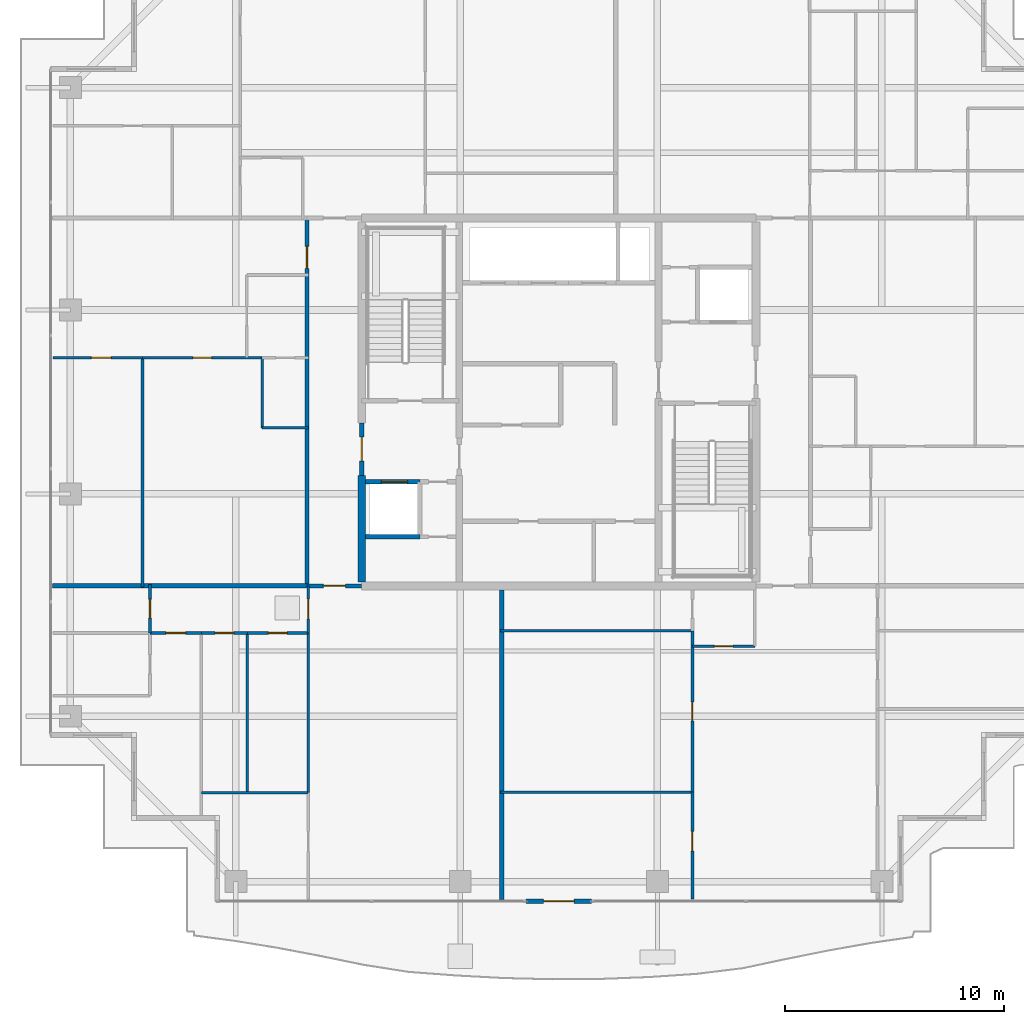
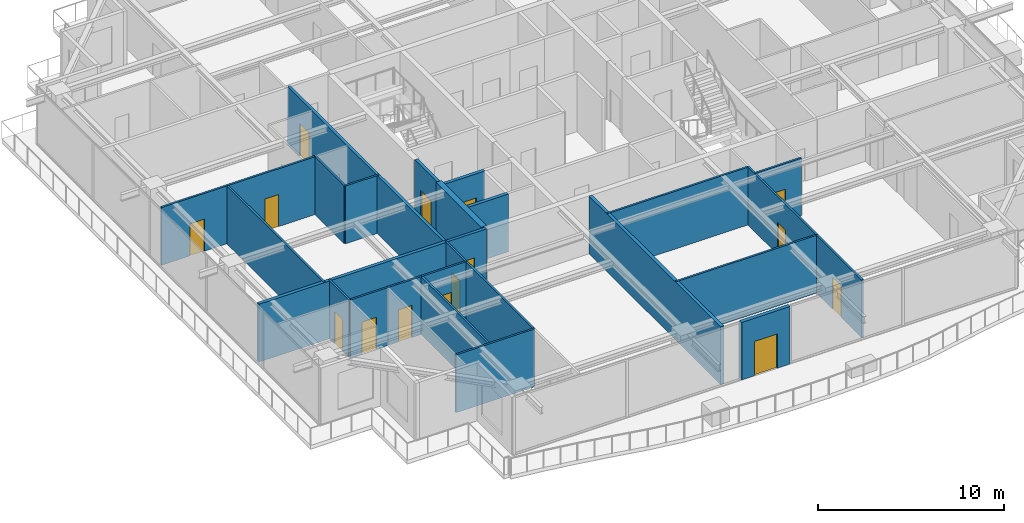
# One storey, part 31 of 42: 27 walls, 15 doors, 15 openings.
"""IFC4 building model written with IfcOpenShell, lengths in metres."""

import ifcopenshell
import ifcopenshell.guid

model = None  # the IFC model being written
_history = None  # IfcOwnerHistory: only IFC2X3 demands one
_inside = {}  # id of a spatial element -> (the spatial element, [elements in it])
_under = {}  # id of a project, library or spatial element -> (it, [spatial elements below it])
_declared = {}  # id of a project -> (the project, [libraries it declares])
_typed = {}  # id of a type object -> (the type object, [elements of that type])
_made_of = {}  # id of a material, layer set ... -> (it, [elements and type objects made of it])


def new_model(schema):
    """Start an empty IFC model of exactly this schema.

    Asked for "IFC4X3", IfcOpenShell would pick the latest addendum, in which some entities
    have other attributes; the version numbers below select the first issue.
    IFC2X3 requires an IfcOwnerHistory on every rooted entity: one is made here for all.
    """
    global model, _history
    if schema == "IFC4X3":
        model = ifcopenshell.file(schema_version=(4, 3, 0, 0))
    else:
        model = ifcopenshell.file(schema=schema)
    _inside.clear()
    _under.clear()
    _declared.clear()
    _typed.clear()
    _made_of.clear()
    _history = None
    if model.schema == "IFC2X3":
        org = make("IfcOrganization", Name="unknown")
        user = make(
            "IfcPersonAndOrganization",
            ThePerson=make("IfcPerson", FamilyName="unknown"),
            TheOrganization=org,
        )
        app = make(
            "IfcApplication",
            ApplicationDeveloper=org,
            Version="unknown",
            ApplicationFullName="unknown",
            ApplicationIdentifier="unknown",
        )
        _history = make(
            "IfcOwnerHistory",
            OwningUser=user,
            OwningApplication=app,
            ChangeAction="ADDED",
            CreationDate=0,
        )
    return model


def make(cls, **values):
    """One entity of the class cls with the attributes given. An attribute that is None is left unset."""
    return model.create_entity(
        cls, **{name: value for name, value in values.items() if value is not None}
    )


def rooted(cls, **values):
    """An entity with a GlobalId (a new one), such as an element, a storey or a relation."""
    return make(cls, GlobalId=ifcopenshell.guid.new(), OwnerHistory=_history, **values)


def si_unit(unit_type, name, prefix=None):
    """IfcSIUnit, for example si_unit("LENGTHUNIT", "METRE", prefix="MILLI")."""
    return make("IfcSIUnit", UnitType=unit_type, Prefix=prefix, Name=name)


def assignment(units):
    """IfcUnitAssignment: the units of a project."""
    return None if units is None else make("IfcUnitAssignment", Units=units)


def point(xyz):
    """IfcCartesianPoint."""
    return None if xyz is None else make("IfcCartesianPoint", Coordinates=xyz)


def direction(xyz):
    """IfcDirection."""
    return None if xyz is None else make("IfcDirection", DirectionRatios=xyz)


def frame(location, z_axis=None, x_axis=None):
    """IfcAxis2Placement3D, a coordinate frame: its origin and axes. An axis left out is left unset."""
    return make(
        "IfcAxis2Placement3D",
        Location=point(location),
        Axis=direction(z_axis),
        RefDirection=direction(x_axis),
    )


def frame_2d(location, x_axis=None):
    """IfcAxis2Placement2D, a coordinate frame in the plane: its origin and x axis."""
    return make(
        "IfcAxis2Placement2D", Location=point(location), RefDirection=direction(x_axis)
    )


def origin():
    """The frame at (0, 0, 0) with its axes left unset."""
    return frame((0.0, 0.0, 0.0))


def place(relative_to, where):
    """IfcLocalPlacement: puts the frame where relative to a parent placement (None: the world)."""
    return make(
        "IfcLocalPlacement", PlacementRelTo=relative_to, RelativePlacement=where
    )


def context(
    kind, dimensions, precision=None, world=None, true_north=None, identifier=None
):
    """IfcGeometricRepresentationContext, for example the 3D "Model" context."""
    return make(
        "IfcGeometricRepresentationContext",
        ContextIdentifier=identifier,
        ContextType=kind,
        CoordinateSpaceDimension=dimensions,
        Precision=precision,
        WorldCoordinateSystem=world,
        TrueNorth=true_north,
    )


def subcontext(parent, identifier, kind, view, scale=None):
    """IfcGeometricRepresentationSubContext, for example "Body" below "Model"."""
    return make(
        "IfcGeometricRepresentationSubContext",
        ContextIdentifier=identifier,
        ContextType=kind,
        ParentContext=parent,
        TargetScale=scale,
        TargetView=view,
    )


def project(units=None, contexts=None):
    """IfcProject with its units and contexts."""
    return rooted(
        "IfcProject",
        Name="project",
        RepresentationContexts=contexts,
        UnitsInContext=assignment(units),
    )


def spatial(cls, under=None, at=None, **own):
    """A site, building, storey or space (cls), placed at a placement, below another one or the project."""
    s = rooted(cls, ObjectPlacement=at, **own)
    if under is not None:
        _under.setdefault(under.id(), (under, []))[1].append(s)
    return s


def profile(cls, at=None, kind="AREA", **sizes):
    """A parametric profile (cls). Its sizes go by their IFC names, for example OverallWidth=200.0."""
    return make(cls, ProfileType=kind, Position=at, **sizes)


def rectangle(**sizes):
    """IfcRectangleProfileDef."""
    return profile("IfcRectangleProfileDef", **sizes)


def extrude(swept, where, along, depth):
    """IfcExtrudedAreaSolid: the profile swept, set in the frame where, extruded along a direction by depth."""
    return make(
        "IfcExtrudedAreaSolid",
        SweptArea=swept,
        Position=where,
        ExtrudedDirection=direction(along),
        Depth=depth,
    )


def shape(context_of_items, identifier, shape_type, items):
    """IfcShapeRepresentation: the items that make up one representation, for example the "Body"."""
    return make(
        "IfcShapeRepresentation",
        ContextOfItems=context_of_items,
        RepresentationIdentifier=identifier,
        RepresentationType=shape_type,
        Items=items,
    )


def source(mapping_origin, context_of_items, identifier, shape_type, items):
    """IfcRepresentationMap: a shape defined once, which mapped items show again and again."""
    return make(
        "IfcRepresentationMap",
        MappingOrigin=mapping_origin,
        MappedRepresentation=shape(context_of_items, identifier, shape_type, items),
    )


def transform(
    local_origin,
    x_axis=None,
    y_axis=None,
    z_axis=None,
    scale=None,
    scale2=None,
    scale3=None,
    uniform=True,
):
    """IfcCartesianTransformationOperator3D, or its non-uniform kind. x_axis, y_axis, z_axis: its Axis1, 2, 3."""
    if uniform:
        return make(
            "IfcCartesianTransformationOperator3D",
            Axis1=direction(x_axis),
            Axis2=direction(y_axis),
            LocalOrigin=point(local_origin),
            Scale=scale,
            Axis3=direction(z_axis),
        )
    return make(
        "IfcCartesianTransformationOperator3DnonUniform",
        Axis1=direction(x_axis),
        Axis2=direction(y_axis),
        LocalOrigin=point(local_origin),
        Scale=scale,
        Axis3=direction(z_axis),
        Scale2=scale2,
        Scale3=scale3,
    )


def mapped(mapping_source, mapping_target):
    """IfcMappedItem: shows the shape of a source again, moved by a transform."""
    return make(
        "IfcMappedItem", MappingSource=mapping_source, MappingTarget=mapping_target
    )


def material(Name=None, Category=None):
    """IfcMaterial."""
    return make("IfcMaterial", Name=Name, Category=Category)


def layer(
    of_material, thickness, ventilated=None, Name=None, Category=None, Priority=None
):
    """IfcMaterialLayer: one layer of a wall or slab, of a material (None: an air gap)."""
    return make(
        "IfcMaterialLayer",
        Material=of_material,
        LayerThickness=thickness,
        IsVentilated=ventilated,
        Name=Name,
        Category=Category,
        Priority=Priority,
    )


def layer_set(layers, Name=None):
    """IfcMaterialLayerSet."""
    return make("IfcMaterialLayerSet", MaterialLayers=layers, LayerSetName=Name)


def made_of(thing, what):
    """Note that an element or type object is made of a material, layer set ...; save() writes the relation."""
    if what is not None:
        _made_of.setdefault(what.id(), (what, []))[1].append(thing)
    return thing


def type_object(cls, material=None, **own):
    """A type object (cls), such as IfcWallType, which elements share."""
    return made_of(rooted(cls, **own), material)


def element(
    cls,
    number,
    at=None,
    inside=None,
    cuts=None,
    type_object=None,
    material=None,
    context=None,
    identifier="Body",
    shape_type=None,
    held_by="IfcProductDefinitionShape",
    body=None,
    shapes=None,
    **own,
):
    """One element of the class cls, such as IfcWall. Its Tag is "e" and its number.

    at: its placement. inside: the storey or other place that contains it. cuts: it is an
    opening in that element (IfcRelVoidsElement). A single representation is given by context,
    identifier, shape_type and body (its items); several are given by shapes. held_by: the class
    of the entity that holds the representations. save() writes the other relations.
    """
    e = rooted(cls, Tag="e%d" % number, ObjectPlacement=at, **own)
    if body is not None:
        shapes = [shape(context, identifier, shape_type, body)]
    if shapes is not None:
        e.Representation = make(held_by, Representations=shapes)
    if inside is not None:
        _inside.setdefault(inside.id(), (inside, []))[1].append(e)
    if cuts is not None:
        rooted(
            "IfcRelVoidsElement", RelatingBuildingElement=cuts, RelatedOpeningElement=e
        )
    if type_object is not None:
        _typed.setdefault(type_object.id(), (type_object, []))[1].append(e)
    return made_of(e, material)


def fill(opening, filler):
    """IfcRelFillsElement: the door or window that sits in an opening."""
    return rooted(
        "IfcRelFillsElement",
        RelatingOpeningElement=opening,
        RelatedBuildingElement=filler,
    )


def aggregate(whole, parts):
    """IfcRelAggregates: a whole, such as a stair, and the parts it consists of."""
    return rooted("IfcRelAggregates", RelatingObject=whole, RelatedObjects=parts)


def save(model, path):
    """Write the relations noted so far, then the file.

    IfcRelAggregates (storeys below a building ...), IfcRelContainedInSpatialStructure (elements
    in a storey), IfcRelDefinesByType, IfcRelAssociatesMaterial and IfcRelDeclares: one each for
    every whole, place, type object, material and project.
    """
    for whole, parts in _under.values():
        aggregate(whole, parts)
    for where, things in _inside.values():
        rooted(
            "IfcRelContainedInSpatialStructure",
            RelatedElements=things,
            RelatingStructure=where,
        )
    for kind, things in _typed.values():
        rooted("IfcRelDefinesByType", RelatedObjects=things, RelatingType=kind)
    for what, things in _made_of.values():
        rooted("IfcRelAssociatesMaterial", RelatedObjects=things, RelatingMaterial=what)
    for by, libraries in _declared.values():
        rooted("IfcRelDeclares", RelatingContext=by, RelatedDefinitions=libraries)
    model.write(path)


model = new_model("IFC4")

# Units and contexts
model_context = context("Model", 3, precision=1e-05, world=origin(), true_north=direction((0.0, 1.0)))
body_context = subcontext(model_context, "Body", "Model", "MODEL_VIEW")
ifc_project = project(units=[si_unit("LENGTHUNIT", "METRE"), si_unit("AREAUNIT", "SQUARE_METRE"), si_unit("VOLUMEUNIT", "CUBIC_METRE"), si_unit("PLANEANGLEUNIT", "RADIAN"), si_unit("MASSUNIT", "GRAM", prefix="KILO")], contexts=[model_context])

# Site, building, storey
site_placement = place(None, origin())
site = spatial("IfcSite", under=ifc_project, at=site_placement, CompositionType="ELEMENT")
building_placement = place(site_placement, origin())
building = spatial("IfcBuilding", under=site, at=building_placement, Name="Serunith Strait Residences", CompositionType="ELEMENT")
storey_placement = place(building_placement, frame((0.0, 0.0, 293.449951171875)))
storey = spatial("IfcBuildingStorey", under=building, at=storey_placement, Name="L73", CompositionType="ELEMENT", Elevation=293.449951171875)

# Wall, opening, door
ifc_material_1 = material(Name="Pale-Champagne Aluminium Insulated Panel", Category="aluminium")
ifc_layer_1 = layer(ifc_material_1, 0.219970703125, Name="Pale-Champagne Aluminium Insulated Panel")
ifc_layer_set_1 = layer_set([ifc_layer_1], Name="Pale-Champagne Aluminium Insulated Panel")
wall_type_1 = type_object("IfcWallType", Name="EW-ALUM-220", PredefinedType="ELEMENTEDWALL", material=ifc_layer_set_1)
wall_1_placement = place(storey_placement, frame((30.89990234375, 2.39990234375, 0.0), z_axis=(0.0, 0.0, 1.0), x_axis=(1.0, 0.0, 0.0)))
wall_1 = element("IfcWall", 1, at=wall_1_placement, inside=storey, type_object=wall_type_1, Name="L73 S Facade Pier Wall", PredefinedType="ELEMENTEDWALL", context=body_context, shape_type="SweptSolid", body=[
    extrude(rectangle(XDim=3.0, YDim=0.219970703125, at=frame_2d((1.5, 0.0))), origin(), (0.0, 0.0, 1.0), 3.775146484375),
])
opening_1_placement = place(wall_1_placement, frame((0.800048828125, 0.0, 0.0)))
opening_1 = element("IfcOpeningElement", 2, at=opening_1_placement, cuts=wall_1, Name="Opening ED-04", PredefinedType="OPENING", context=body_context, shape_type="SweptSolid", body=[
    extrude(rectangle(XDim=1.39990234375, YDim=2.25, at=frame_2d((0.699951171875, 1.125))), frame((0.0, 0.1201171875, 0.0), z_axis=(0.0, -1.0, 0.0), x_axis=(1.0, 0.0, 0.0)), (0.0, 0.0, 1.0), 0.239990234375),
])
ifc_material_2 = material(Name="Thermally-Broken Aluminium Sliding Balcony Door", Category="aluminium")
door_type_1 = type_object("IfcDoorType", Name="ED-BALC-1400", OperationType="NOTDEFINED", PredefinedType="DOOR", material=ifc_material_2)
shared_shape_1 = source(origin(), body_context, "Body", "SweptSolid", [
    extrude(rectangle(XDim=1.39990234375, YDim=2.25, at=frame_2d((0.699951171875, 1.125))), frame((0.0, 0.02490234375, 0.0), z_axis=(0.0, -1.0, 0.0), x_axis=(1.0, 0.0, 0.0)), (0.0, 0.0, 1.0), 0.050048828125),
])
door_1_placement = place(opening_1_placement, origin())
door_1 = element("IfcDoor", 3, at=door_1_placement, inside=storey, type_object=door_type_1, Name="L73 S Vertical-Forest Balcony Door", OperationType="SLIDING_TO_LEFT", OverallHeight=2.25, OverallWidth=1.39990234375, PredefinedType="DOOR", context=body_context, shape_type="MappedRepresentation", body=[
    mapped(shared_shape_1, transform((0.0, 0.0, 0.0), scale=1.0)),
])
fill(opening_1, door_1)

ifc_material_3 = material(Name="Fire-rated acoustic gypsum partition")
ifc_layer_2 = layer(ifc_material_3, 0.179931640625, Name="Fire-rated acoustic gypsum partition")
ifc_layer_set_2 = layer_set([ifc_layer_2], Name="Fire-rated acoustic gypsum partition")
wall_type_2 = type_object("IfcWallType", Name="IW-CORR-180", PredefinedType="PARTITIONING", material=ifc_layer_set_2)
wall_2_placement = place(storey_placement, frame((20.902099609375, 16.800048828125, 0.0), z_axis=(0.0, 0.0, 1.0), x_axis=(1.0, 0.0, 0.0)))
wall_2 = element("IfcWall", 4, at=wall_2_placement, inside=storey, type_object=wall_type_2, Name="L73 Partition Wall 026", PredefinedType="PARTITIONING", context=body_context, shape_type="SweptSolid", body=[
    extrude(rectangle(XDim=2.495849609375, YDim=0.179931640625, at=frame_2d((1.248046875, 0.0))), origin(), (0.0, 0.0, 1.0), 3.7900390625),
])
opening_2_placement = place(wall_2_placement, frame((0.748046875, 0.0, 0.0)))
opening_2 = element("IfcOpeningElement", 5, at=opening_2_placement, cuts=wall_2, Name="Opening D-APT1000", PredefinedType="OPENING", context=body_context, shape_type="SweptSolid", body=[
    extrude(rectangle(XDim=1.0, YDim=2.14990234375, at=frame_2d((0.5, 1.074951171875))), frame((0.0, 0.10009765625, 0.0), z_axis=(0.0, -1.0, 0.0), x_axis=(1.0, 0.0, 0.0)), (0.0, 0.0, 1.0), 0.199951171875),
])
ifc_material_4 = material(Name="Solid timber engineered fire door", Category="wood")
door_type_2 = type_object("IfcDoorType", Name="ID-APT-1000", OperationType="NOTDEFINED", PredefinedType="DOOR", material=ifc_material_4)
shared_shape_2 = source(origin(), body_context, "Body", "SweptSolid", [
    extrude(rectangle(XDim=1.0, YDim=2.14990234375, at=frame_2d((0.5, 1.074951171875))), frame((0.0, 0.02490234375, 0.0), z_axis=(0.0, -1.0, 0.0), x_axis=(1.0, 0.0, 0.0)), (0.0, 0.0, 1.0), 0.050048828125),
])
door_2_placement = place(opening_2_placement, origin())
door_2 = element("IfcDoor", 6, at=door_2_placement, inside=storey, type_object=door_type_2, Name="L73 Unit 01 Entrance Door", OperationType="SINGLE_SWING_LEFT", OverallHeight=2.14990234375, OverallWidth=1.0, PredefinedType="DOOR", context=body_context, shape_type="MappedRepresentation", body=[
    mapped(shared_shape_2, transform((0.0, 0.0, 0.0), scale=1.0)),
])
fill(opening_2, door_2)

wall_3_placement = place(storey_placement, frame((20.89990234375, 16.800048828125, 0.0), z_axis=(0.0, 0.0, 1.0), x_axis=(0.0, 1.0, 0.0)))
wall_3 = element("IfcWall", 7, at=wall_3_placement, inside=storey, type_object=wall_type_2, Name="L73 Partition Wall 028", PredefinedType="PARTITIONING", context=body_context, shape_type="SweptSolid", body=[
    extrude(rectangle(XDim=16.800048828125, YDim=0.179931640625, at=frame_2d((8.39990234375, 0.0))), origin(), (0.0, 0.0, 1.0), 3.7900390625),
])
opening_3_placement = place(wall_3_placement, frame((14.5, 0.0, 0.0)))
opening_3 = element("IfcOpeningElement", 8, at=opening_3_placement, cuts=wall_3, Name="Opening D-APT1000", PredefinedType="OPENING", context=body_context, shape_type="SweptSolid", body=[
    extrude(rectangle(XDim=1.0, YDim=2.14990234375, at=frame_2d((0.5, 1.074951171875))), frame((0.0, 0.10009765625, 0.0), z_axis=(0.0, -1.0, 0.0), x_axis=(1.0, 0.0, 0.0)), (0.0, 0.0, 1.0), 0.199951171875),
])
door_3_placement = place(opening_3_placement, origin())
door_3 = element("IfcDoor", 9, at=door_3_placement, inside=storey, type_object=door_type_2, Name="L73 Unit 05 Entrance Door", OperationType="SINGLE_SWING_LEFT", OverallHeight=2.14990234375, OverallWidth=1.0, PredefinedType="DOOR", context=body_context, shape_type="MappedRepresentation", body=[
    mapped(shared_shape_2, transform((0.0, 0.0, 0.0), scale=1.0)),
])
fill(opening_3, door_3)

ifc_material_5 = material(Name="Lightweight steel-stud gypsum partition", Category="steel")
ifc_layer_3 = layer(ifc_material_5, 0.1201171875, Name="Lightweight steel-stud gypsum partition")
ifc_layer_set_3 = layer_set([ifc_layer_3], Name="Lightweight steel-stud gypsum partition")
wall_type_3 = type_object("IfcWallType", Name="IW-PART-120", PredefinedType="PARTITIONING", material=ifc_layer_set_3)
wall_4_placement = place(storey_placement, frame((20.949951171875, 14.64990234375, 0.0), z_axis=(0.0, 0.0, 1.0), x_axis=(0.0, 1.0, 0.0)))
wall_4 = element("IfcWall", 10, at=wall_4_placement, inside=storey, type_object=wall_type_3, Name="L73 Partition Wall 032", PredefinedType="PARTITIONING", context=body_context, shape_type="SweptSolid", body=[
    extrude(rectangle(XDim=2.148193359375, YDim=0.1201171875, at=frame_2d((1.07421875, 0.0))), origin(), (0.0, 0.0, 1.0), 3.7900390625),
])
opening_4_placement = place(wall_4_placement, frame((0.64208984375, 0.0, 0.0)))
opening_4 = element("IfcOpeningElement", 11, at=opening_4_placement, cuts=wall_4, Name="Opening D-RM900", PredefinedType="OPENING", context=body_context, shape_type="SweptSolid", body=[
    extrude(rectangle(XDim=0.89990234375, YDim=2.10009765625, at=frame_2d((0.449951171875, 1.050048828125))), frame((0.0, 0.070068359375, 0.0), z_axis=(0.0, -1.0, 0.0), x_axis=(1.0, 0.0, 0.0)), (0.0, 0.0, 1.0), 0.14013671875),
])
ifc_material_6 = material(Name="Engineered timber flush bedroom door", Category="wood")
door_type_3 = type_object("IfcDoorType", Name="ID-ROOM-900", OperationType="NOTDEFINED", PredefinedType="DOOR", material=ifc_material_6)
shared_shape_3 = source(origin(), body_context, "Body", "SweptSolid", [
    extrude(rectangle(XDim=0.89990234375, YDim=2.10009765625, at=frame_2d((0.449951171875, 1.050048828125))), frame((0.0, 0.02490234375, 0.0), z_axis=(0.0, -1.0, 0.0), x_axis=(1.0, 0.0, 0.0)), (0.0, 0.0, 1.0), 0.050048828125),
])
door_4_placement = place(opening_4_placement, origin())
door_4 = element("IfcDoor", 12, at=door_4_placement, inside=storey, type_object=door_type_3, Name="L73 Hall W 7301 Door", OperationType="SINGLE_SWING_LEFT", OverallHeight=2.10009765625, OverallWidth=0.89990234375, PredefinedType="DOOR", context=body_context, shape_type="MappedRepresentation", body=[
    mapped(shared_shape_3, transform((0.0, 0.0, 0.0), scale=1.0)),
])
fill(opening_4, door_4)

# Walls
wall_5_placement = place(storey_placement, frame((20.949951171875, 7.364990234375, 0.0), z_axis=(0.0, 0.0, 1.0), x_axis=(0.0, 1.0, 0.0)))
element("IfcWall", 13, at=wall_5_placement, inside=storey, type_object=wall_type_3, Name="L73 Partition Wall 034", PredefinedType="PARTITIONING", context=body_context, shape_type="SweptSolid", body=[
    extrude(rectangle(XDim=7.282958984375, YDim=0.1201171875, at=frame_2d((3.6416015625, 0.0))), origin(), (0.0, 0.0, 1.0), 3.7900390625),
])
wall_6_placement = place(storey_placement, frame((16.080078125, 7.363037109375, 0.0), z_axis=(0.0, 0.0, 1.0), x_axis=(1.0, 0.0, 0.0)))
element("IfcWall", 14, at=wall_6_placement, inside=storey, type_object=wall_type_3, Name="L73 Partition Wall 035", PredefinedType="PARTITIONING", context=body_context, shape_type="SweptSolid", body=[
    extrude(rectangle(XDim=4.869873046875, YDim=0.1201171875, at=frame_2d((2.43505859375, 0.0))), origin(), (0.0, 0.0, 1.0), 3.7900390625),
])
wall_7_placement = place(storey_placement, frame((18.179931640625, 7.363037109375, 0.0), z_axis=(0.0, 0.0, 1.0), x_axis=(0.0, 1.0, 0.0)))
element("IfcWall", 15, at=wall_7_placement, inside=storey, type_object=wall_type_3, Name="L73 Partition Wall 037", PredefinedType="PARTITIONING", context=body_context, shape_type="SweptSolid", body=[
    extrude(rectangle(XDim=7.286865234375, YDim=0.1201171875, at=frame_2d((3.6435546875, 0.0))), origin(), (0.0, 0.0, 1.0), 3.7900390625),
])

# Wall, opening, door
wall_8_placement = place(storey_placement, frame((16.080078125, 14.64990234375, 0.0), z_axis=(0.0, 0.0, 1.0), x_axis=(1.0, 0.0, 0.0)))
wall_8 = element("IfcWall", 16, at=wall_8_placement, inside=storey, type_object=wall_type_3, Name="L73 Partition Wall 038", PredefinedType="PARTITIONING", context=body_context, shape_type="SweptSolid", body=[
    extrude(rectangle(XDim=2.099853515625, YDim=0.1201171875, at=frame_2d((1.0498046875, 0.0))), origin(), (0.0, 0.0, 1.0), 3.7900390625),
])
opening_5_placement = place(wall_8_placement, frame((0.625, 0.0, 0.0)))
opening_5 = element("IfcOpeningElement", 17, at=opening_5_placement, cuts=wall_8, Name="Opening D-BTH850", PredefinedType="OPENING", context=body_context, shape_type="SweptSolid", body=[
    extrude(rectangle(XDim=0.85009765625, YDim=2.10009765625, at=frame_2d((0.425048828125, 1.050048828125))), frame((0.0, 0.070068359375, 0.0), z_axis=(0.0, -1.0, 0.0), x_axis=(1.0, 0.0, 0.0)), (0.0, 0.0, 1.0), 0.14013671875),
])
ifc_material_7 = material(Name="Moisture-resistant timber bathroom door", Category="wood")
door_type_4 = type_object("IfcDoorType", Name="ID-BATH-850", OperationType="NOTDEFINED", PredefinedType="DOOR", material=ifc_material_7)
shared_shape_4 = source(origin(), body_context, "Body", "SweptSolid", [
    extrude(rectangle(XDim=0.85009765625, YDim=2.10009765625, at=frame_2d((0.425048828125, 1.050048828125))), frame((0.0, 0.02490234375, 0.0), z_axis=(0.0, -1.0, 0.0), x_axis=(1.0, 0.0, 0.0)), (0.0, 0.0, 1.0), 0.050048828125),
])
door_5_placement = place(opening_5_placement, origin())
door_5 = element("IfcDoor", 18, at=door_5_placement, inside=storey, type_object=door_type_4, Name="L73 Bathroom 7301 Door", OperationType="SINGLE_SWING_LEFT", OverallHeight=2.10009765625, OverallWidth=0.85009765625, PredefinedType="DOOR", context=body_context, shape_type="MappedRepresentation", body=[
    mapped(shared_shape_4, transform((0.0, 0.0, 0.0), scale=1.0)),
])
fill(opening_5, door_5)

wall_9_placement = place(storey_placement, frame((18.181884765625, 14.64990234375, 0.0), z_axis=(0.0, 0.0, 1.0), x_axis=(1.0, 0.0, 0.0)))
wall_9 = element("IfcWall", 19, at=wall_9_placement, inside=storey, type_object=wall_type_3, Name="L73 Partition Wall 039", PredefinedType="PARTITIONING", context=body_context, shape_type="SweptSolid", body=[
    extrude(rectangle(XDim=2.76806640625, YDim=0.1201171875, at=frame_2d((1.384033203125, 0.0))), origin(), (0.0, 0.0, 1.0), 3.7900390625),
])
opening_6_placement = place(wall_9_placement, frame((0.958984375, 0.0, 0.0)))
opening_6 = element("IfcOpeningElement", 20, at=opening_6_placement, cuts=wall_9, Name="Opening D-RM850", PredefinedType="OPENING", context=body_context, shape_type="SweptSolid", body=[
    extrude(rectangle(XDim=0.85009765625, YDim=2.10009765625, at=frame_2d((0.425048828125, 1.050048828125))), frame((0.0, 0.070068359375, 0.0), z_axis=(0.0, -1.0, 0.0), x_axis=(1.0, 0.0, 0.0)), (0.0, 0.0, 1.0), 0.14013671875),
])
ifc_material_8 = material(Name="Engineered timber flush study and kitchen door", Category="wood")
door_type_5 = type_object("IfcDoorType", Name="ID-ROOM-850", OperationType="NOTDEFINED", PredefinedType="DOOR", material=ifc_material_8)
door_6_placement = place(opening_6_placement, origin())
door_6 = element("IfcDoor", 21, at=door_6_placement, inside=storey, type_object=door_type_5, Name="L73 Kitchen 7301 Door", OperationType="SINGLE_SWING_RIGHT", OverallHeight=2.10009765625, OverallWidth=0.85009765625, PredefinedType="DOOR", context=body_context, shape_type="MappedRepresentation", body=[
    mapped(shared_shape_4, transform((0.0, 0.0, 0.0), scale=1.0)),
])
fill(opening_6, door_6)

wall_10_placement = place(storey_placement, frame((13.72998046875, 14.64990234375, 0.0), z_axis=(0.0, 0.0, 1.0), x_axis=(1.0, 0.0, 0.0)))
wall_10 = element("IfcWall", 22, at=wall_10_placement, inside=storey, type_object=wall_type_3, Name="L73 Partition Wall 040", PredefinedType="PARTITIONING", context=body_context, shape_type="SweptSolid", body=[
    extrude(rectangle(XDim=2.347900390625, YDim=0.1201171875, at=frame_2d((1.173828125, 0.0))), origin(), (0.0, 0.0, 1.0), 3.7900390625),
])
opening_7_placement = place(wall_10_placement, frame((0.72412109375, 0.0, 0.0)))
opening_7 = element("IfcOpeningElement", 23, at=opening_7_placement, cuts=wall_10, Name="Opening D-RM900", PredefinedType="OPENING", context=body_context, shape_type="SweptSolid", body=[
    extrude(rectangle(XDim=0.89990234375, YDim=2.10009765625, at=frame_2d((0.449951171875, 1.050048828125))), frame((0.0, 0.070068359375, 0.0), z_axis=(0.0, -1.0, 0.0), x_axis=(1.0, 0.0, 0.0)), (0.0, 0.0, 1.0), 0.14013671875),
])
door_7_placement = place(opening_7_placement, origin())
door_7 = element("IfcDoor", 24, at=door_7_placement, inside=storey, type_object=door_type_3, Name="L73 Master Bedroom W 7301 Door", OperationType="SINGLE_SWING_LEFT", OverallHeight=2.10009765625, OverallWidth=0.89990234375, PredefinedType="DOOR", context=body_context, shape_type="MappedRepresentation", body=[
    mapped(shared_shape_3, transform((0.0, 0.0, 0.0), scale=1.0)),
])
fill(opening_7, door_7)

wall_11_placement = place(storey_placement, frame((13.72998046875, 14.652099609375, 0.0), z_axis=(0.0, 0.0, 1.0), x_axis=(0.0, 1.0, 0.0)))
wall_11 = element("IfcWall", 25, at=wall_11_placement, inside=storey, type_object=wall_type_3, Name="L73 Partition Wall 044", PredefinedType="PARTITIONING", context=body_context, shape_type="SweptSolid", body=[
    extrude(rectangle(XDim=2.2080078125, YDim=0.1201171875, at=frame_2d((1.10400390625, 0.0))), origin(), (0.0, 0.0, 1.0), 3.7900390625),
])
opening_8_placement = place(wall_11_placement, frame((0.678955078125, 0.0, 0.0)))
opening_8 = element("IfcOpeningElement", 26, at=opening_8_placement, cuts=wall_11, Name="Opening D-RM850", PredefinedType="OPENING", context=body_context, shape_type="SweptSolid", body=[
    extrude(rectangle(XDim=0.85009765625, YDim=2.10009765625, at=frame_2d((0.425048828125, 1.050048828125))), frame((0.0, 0.070068359375, 0.0), z_axis=(0.0, -1.0, 0.0), x_axis=(1.0, 0.0, 0.0)), (0.0, 0.0, 1.0), 0.14013671875),
])
door_8_placement = place(opening_8_placement, origin())
door_8 = element("IfcDoor", 27, at=door_8_placement, inside=storey, type_object=door_type_5, Name="L73 Wardrobe W 7301 Door", OperationType="SINGLE_SWING_LEFT", OverallHeight=2.10009765625, OverallWidth=0.85009765625, PredefinedType="DOOR", context=body_context, shape_type="MappedRepresentation", body=[
    mapped(shared_shape_4, transform((0.0, 0.0, 0.0), scale=1.0)),
])
fill(opening_8, door_8)

wall_12_placement = place(storey_placement, frame((38.5, 14.050048828125, 0.0), z_axis=(0.0, 0.0, 1.0), x_axis=(1.0, 0.0, 0.0)))
wall_12 = element("IfcWall", 28, at=wall_12_placement, inside=storey, type_object=wall_type_3, Name="L73 Partition Wall 045", PredefinedType="PARTITIONING", context=body_context, shape_type="SweptSolid", body=[
    extrude(rectangle(XDim=2.85009765625, YDim=0.1201171875, at=frame_2d((1.425048828125, 0.0))), origin(), (0.0, 0.0, 1.0), 3.7900390625),
])
opening_9_placement = place(wall_12_placement, frame((1.0, 0.0, 0.0)))
opening_9 = element("IfcOpeningElement", 29, at=opening_9_placement, cuts=wall_12, Name="Opening D-RM850", PredefinedType="OPENING", context=body_context, shape_type="SweptSolid", body=[
    extrude(rectangle(XDim=0.85009765625, YDim=2.10009765625, at=frame_2d((0.425048828125, 1.050048828125))), frame((0.0, 0.070068359375, 0.0), z_axis=(0.0, -1.0, 0.0), x_axis=(1.0, 0.0, 0.0)), (0.0, 0.0, 1.0), 0.14013671875),
])
door_9_placement = place(opening_9_placement, origin())
door_9 = element("IfcDoor", 30, at=door_9_placement, inside=storey, type_object=door_type_5, Name="L73 Kitchen 7302 Door", OperationType="SINGLE_SWING_RIGHT", OverallHeight=2.10009765625, OverallWidth=0.85009765625, PredefinedType="DOOR", context=body_context, shape_type="MappedRepresentation", body=[
    mapped(shared_shape_4, transform((0.0, 0.0, 0.0), scale=1.0)),
])
fill(opening_9, door_9)

wall_13_placement = place(storey_placement, frame((38.5, 2.4951171875, 0.0), z_axis=(0.0, 0.0, 1.0), x_axis=(0.0, 1.0, 0.0)))
wall_13 = element("IfcWall", 31, at=wall_13_placement, inside=storey, type_object=wall_type_3, Name="L73 Partition Wall 047", PredefinedType="PARTITIONING", context=body_context, shape_type="SweptSolid", body=[
    extrude(rectangle(XDim=4.890869140625, YDim=0.1201171875, at=frame_2d((2.4453125, 0.0))), origin(), (0.0, 0.0, 1.0), 3.7900390625),
])
opening_10_placement = place(wall_13_placement, frame((2.195068359375, 0.0, 0.0)))
opening_10 = element("IfcOpeningElement", 32, at=opening_10_placement, cuts=wall_13, Name="Opening D-RM900", PredefinedType="OPENING", context=body_context, shape_type="SweptSolid", body=[
    extrude(rectangle(XDim=0.89990234375, YDim=2.10009765625, at=frame_2d((0.449951171875, 1.050048828125))), frame((0.0, 0.070068359375, 0.0), z_axis=(0.0, -1.0, 0.0), x_axis=(1.0, 0.0, 0.0)), (0.0, 0.0, 1.0), 0.14013671875),
])
door_10_placement = place(opening_10_placement, origin())
door_10 = element("IfcDoor", 33, at=door_10_placement, inside=storey, type_object=door_type_3, Name="L73 Master Bedroom 1 7302 Door", OperationType="SINGLE_SWING_LEFT", OverallHeight=2.10009765625, OverallWidth=0.89990234375, PredefinedType="DOOR", context=body_context, shape_type="MappedRepresentation", body=[
    mapped(shared_shape_3, transform((0.0, 0.0, 0.0), scale=1.0)),
])
fill(opening_10, door_10)

# Walls
for number, where, z_axis, x_axis, name in (
    (34, (29.739990234375, 7.385986328125, 0.0), (0.0, 0.0, 1.0), (1.0, 0.0, 0.0), "L73 Partition Wall 048"),
    (35, (29.739990234375, 14.75, 0.0), (0.0, 0.0, 1.0), (1.0, 0.0, 0.0), "L73 Partition Wall 049"),
):
    element("IfcWall", number, at=place(storey_placement, frame(where, z_axis=z_axis, x_axis=x_axis)), inside=storey, type_object=wall_type_3, Name=name, PredefinedType="PARTITIONING", context=body_context, shape_type="SweptSolid", body=[
        extrude(rectangle(XDim=8.760009765625, YDim=0.1201171875, at=frame_2d((4.3798828125, 0.0))), origin(), (0.0, 0.0, 1.0), 3.7900390625),
    ])

# Wall, opening, door
wall_14_placement = place(storey_placement, frame((38.5, 7.387939453125, 0.0), z_axis=(0.0, 0.0, 1.0), x_axis=(0.0, 1.0, 0.0)))
wall_14 = element("IfcWall", 36, at=wall_14_placement, inside=storey, type_object=wall_type_3, Name="L73 Partition Wall 050", PredefinedType="PARTITIONING", context=body_context, shape_type="SweptSolid", body=[
    extrude(rectangle(XDim=7.362060546875, YDim=0.1201171875, at=frame_2d((3.68115234375, 0.0))), origin(), (0.0, 0.0, 1.0), 3.7900390625),
])
opening_11_placement = place(wall_14_placement, frame((3.256103515625, 0.0, 0.0)))
opening_11 = element("IfcOpeningElement", 37, at=opening_11_placement, cuts=wall_14, Name="Opening D-RM850", PredefinedType="OPENING", context=body_context, shape_type="SweptSolid", body=[
    extrude(rectangle(XDim=0.85009765625, YDim=2.10009765625, at=frame_2d((0.425048828125, 1.050048828125))), frame((0.0, 0.070068359375, 0.0), z_axis=(0.0, -1.0, 0.0), x_axis=(1.0, 0.0, 0.0)), (0.0, 0.0, 1.0), 0.14013671875),
])
door_11_placement = place(opening_11_placement, origin())
door_11 = element("IfcDoor", 38, at=door_11_placement, inside=storey, type_object=door_type_5, Name="L73 Walk-in Wardrobe 7302 Door", OperationType="SINGLE_SWING_RIGHT", OverallHeight=2.10009765625, OverallWidth=0.85009765625, PredefinedType="DOOR", context=body_context, shape_type="MappedRepresentation", body=[
    mapped(shared_shape_4, transform((0.0, 0.0, 0.0), scale=1.0)),
])
fill(opening_11, door_11)

wall_15_placement = place(storey_placement, frame((9.294921875, 27.219970703125, 0.0), z_axis=(0.0, 0.0, 1.0), x_axis=(1.0, 0.0, 0.0)))
wall_15 = element("IfcWall", 39, at=wall_15_placement, inside=storey, type_object=wall_type_3, Name="L73 Partition Wall 084", PredefinedType="PARTITIONING", context=body_context, shape_type="SweptSolid", body=[
    extrude(rectangle(XDim=4.093994140625, YDim=0.1201171875, at=frame_2d((2.046875, 0.0))), origin(), (0.0, 0.0, 1.0), 3.7900390625),
])
opening_12_placement = place(wall_15_placement, frame((1.757080078125, 0.0, 0.0)))
opening_12 = element("IfcOpeningElement", 40, at=opening_12_placement, cuts=wall_15, Name="Opening D-RM900", PredefinedType="OPENING", context=body_context, shape_type="SweptSolid", body=[
    extrude(rectangle(XDim=0.89990234375, YDim=2.10009765625, at=frame_2d((0.449951171875, 1.050048828125))), frame((0.0, 0.070068359375, 0.0), z_axis=(0.0, -1.0, 0.0), x_axis=(1.0, 0.0, 0.0)), (0.0, 0.0, 1.0), 0.14013671875),
])
door_12_placement = place(opening_12_placement, origin())
door_12 = element("IfcDoor", 41, at=door_12_placement, inside=storey, type_object=door_type_3, Name="L73 Master Bedroom 1 7305 Door", OperationType="SINGLE_SWING_RIGHT", OverallHeight=2.10009765625, OverallWidth=0.89990234375, PredefinedType="DOOR", context=body_context, shape_type="MappedRepresentation", body=[
    mapped(shared_shape_3, transform((0.0, 0.0, 0.0), scale=1.0)),
])
fill(opening_12, door_12)

# Walls
wall_16_placement = place(storey_placement, frame((13.388916015625, 16.739990234375, 0.0), z_axis=(0.0, 0.0, 1.0), x_axis=(0.0, 1.0, 0.0)))
element("IfcWall", 42, at=wall_16_placement, inside=storey, type_object=wall_type_3, Name="L73 Partition Wall 085", PredefinedType="PARTITIONING", context=body_context, shape_type="SweptSolid", body=[
    extrude(rectangle(XDim=10.47998046875, YDim=0.1201171875, at=frame_2d((5.239990234375, 0.0))), origin(), (0.0, 0.0, 1.0), 3.7900390625),
])
wall_17_placement = place(storey_placement, frame((18.85009765625, 24.02001953125, 0.0), z_axis=(0.0, 0.0, 1.0), x_axis=(0.0, 1.0, 0.0)))
element("IfcWall", 43, at=wall_17_placement, inside=storey, type_object=wall_type_3, Name="L73 Partition Wall 086", PredefinedType="PARTITIONING", context=body_context, shape_type="SweptSolid", body=[
    extrude(rectangle(XDim=3.199951171875, YDim=0.1201171875, at=frame_2d((1.60009765625, 0.0))), origin(), (0.0, 0.0, 1.0), 3.7900390625),
])
wall_18_placement = place(storey_placement, frame((18.85009765625, 24.02001953125, 0.0), z_axis=(0.0, 0.0, 1.0), x_axis=(1.0, 0.0, 0.0)))
element("IfcWall", 44, at=wall_18_placement, inside=storey, type_object=wall_type_3, Name="L73 Partition Wall 087", PredefinedType="PARTITIONING", context=body_context, shape_type="SweptSolid", body=[
    extrude(rectangle(XDim=2.10986328125, YDim=0.1201171875, at=frame_2d((1.054931640625, 0.0))), origin(), (0.0, 0.0, 1.0), 3.7900390625),
])

# Wall, opening, door
wall_19_placement = place(storey_placement, frame((13.39111328125, 27.219970703125, 0.0), z_axis=(0.0, 0.0, 1.0), x_axis=(1.0, 0.0, 0.0)))
wall_19 = element("IfcWall", 45, at=wall_19_placement, inside=storey, type_object=wall_type_3, Name="L73 Partition Wall 088", PredefinedType="PARTITIONING", context=body_context, shape_type="SweptSolid", body=[
    extrude(rectangle(XDim=5.458984375, YDim=0.1201171875, at=frame_2d((2.7294921875, 0.0))), origin(), (0.0, 0.0, 1.0), 3.7900390625),
])
opening_13_placement = place(wall_19_placement, frame((2.304931640625, 0.0, 0.0)))
opening_13 = element("IfcOpeningElement", 46, at=opening_13_placement, cuts=wall_19, Name="Opening D-RM850", PredefinedType="OPENING", context=body_context, shape_type="SweptSolid", body=[
    extrude(rectangle(XDim=0.85009765625, YDim=2.10009765625, at=frame_2d((0.425048828125, 1.050048828125))), frame((0.0, 0.070068359375, 0.0), z_axis=(0.0, -1.0, 0.0), x_axis=(1.0, 0.0, 0.0)), (0.0, 0.0, 1.0), 0.14013671875),
])
door_13_placement = place(opening_13_placement, origin())
door_13 = element("IfcDoor", 47, at=door_13_placement, inside=storey, type_object=door_type_5, Name="L73 Walk-in Wardrobe 7305 Door", OperationType="SINGLE_SWING_LEFT", OverallHeight=2.10009765625, OverallWidth=0.85009765625, PredefinedType="DOOR", context=body_context, shape_type="MappedRepresentation", body=[
    mapped(shared_shape_4, transform((0.0, 0.0, 0.0), scale=1.0)),
])
fill(opening_13, door_13)

# Walls
ifc_material_9 = material(Name="Twin-stud acoustic gypsum board partition")
ifc_layer_4 = layer(ifc_material_9, 0.199951171875, Name="Twin-stud acoustic gypsum board partition")
ifc_layer_set_4 = layer_set([ifc_layer_4], Name="Twin-stud acoustic gypsum board partition")
wall_type_4 = type_object("IfcWallType", Name="IW-PARTY-200", PredefinedType="PARTITIONING", material=ifc_layer_set_4)
wall_20_placement = place(storey_placement, frame((29.800048828125, 2.48193359375, 0.0), z_axis=(0.0, 0.0, 1.0), x_axis=(0.0, 1.0, 0.0)))
element("IfcWall", 48, at=wall_20_placement, inside=storey, type_object=wall_type_4, Name="L73 Partition Wall 020", PredefinedType="PARTITIONING", context=body_context, shape_type="SweptSolid", body=[
    extrude(rectangle(XDim=14.14306640625, YDim=0.199951171875, at=frame_2d((7.071533203125, 0.0))), origin(), (0.0, 0.0, 1.0), 3.7900390625),
])
wall_21_placement = place(storey_placement, frame((9.281982421875, 16.800048828125, 0.0), z_axis=(0.0, 0.0, 1.0), x_axis=(1.0, 0.0, 0.0)))
element("IfcWall", 49, at=wall_21_placement, inside=storey, type_object=wall_type_4, Name="L73 Partition Wall 022", PredefinedType="PARTITIONING", context=body_context, shape_type="SweptSolid", body=[
    extrude(rectangle(XDim=11.617919921875, YDim=0.199951171875, at=frame_2d((5.80908203125, 0.0))), origin(), (0.0, 0.0, 1.0), 3.7900390625),
])

# Wall, opening, door
ifc_material_10 = material(Name="Autoclaved aerated concrete blockwork", Category="masonry")
ifc_layer_5 = layer(ifc_material_10, 0.199951171875, Name="Autoclaved aerated concrete blockwork")
ifc_layer_set_5 = layer_set([ifc_layer_5], Name="Autoclaved aerated concrete blockwork")
wall_type_5 = type_object("IfcWallType", Name="IW-SHAFT-200", PredefinedType="STANDARD", material=ifc_layer_set_5)
wall_22_placement = place(storey_placement, frame((23.574951171875, 21.550048828125, 0.0), z_axis=(0.0, 0.0, 1.0), x_axis=(1.0, 0.0, 0.0)))
wall_22 = element("IfcWall", 50, at=wall_22_placement, inside=storey, type_object=wall_type_5, Name="L73 FL-1 North Shaft Wall", PredefinedType="STANDARD", context=body_context, shape_type="SweptSolid", body=[
    extrude(rectangle(XDim=2.47509765625, YDim=0.199951171875, at=frame_2d((1.237548828125, 0.0))), origin(), (0.0, 0.0, 1.0), 3.7900390625),
])
opening_14_placement = place(wall_22_placement, frame((0.72509765625, 0.0, 0.0)))
opening_14 = element("IfcOpeningElement", 51, at=opening_14_placement, cuts=wall_22, Name="Opening LD-FF1200", PredefinedType="OPENING", context=body_context, shape_type="SweptSolid", body=[
    extrude(rectangle(XDim=1.199951171875, YDim=2.199951171875, at=frame_2d((0.60009765625, 1.10009765625))), frame((0.0, 0.10986328125, 0.0), z_axis=(0.0, -1.0, 0.0), x_axis=(1.0, 0.0, 0.0)), (0.0, 0.0, 1.0), 0.219970703125),
])
ifc_material_11 = material(Name="Brushed stainless steel landing door", Category="steel")
door_type_6 = type_object("IfcDoorType", Name="LD-FF-1200", OperationType="DOUBLE_DOOR_SLIDING", PredefinedType="DOOR", material=ifc_material_11)
shared_shape_5 = source(origin(), body_context, "Body", "SweptSolid", [
    extrude(rectangle(XDim=1.199951171875, YDim=2.199951171875, at=frame_2d((0.60009765625, 1.10009765625))), frame((0.0, 0.02490234375, 0.0), z_axis=(0.0, -1.0, 0.0), x_axis=(1.0, 0.0, 0.0)), (0.0, 0.0, 1.0), 0.050048828125),
])
door_14_placement = place(opening_14_placement, origin())
door_14 = element("IfcDoor", 52, at=door_14_placement, inside=storey, type_object=door_type_6, Name="L73 FL-1 Landing Door", OperationType="DOUBLE_DOOR_SLIDING", OverallHeight=2.199951171875, OverallWidth=1.199951171875, PredefinedType="DOOR", context=body_context, shape_type="MappedRepresentation", body=[
    mapped(shared_shape_5, transform((0.0, 0.0, 0.0), scale=1.0)),
])
fill(opening_14, door_14)

# Wall
wall_23_placement = place(storey_placement, frame((23.574951171875, 19.050048828125, 0.0), z_axis=(0.0, 0.0, 1.0), x_axis=(1.0, 0.0, 0.0)))
element("IfcWall", 53, at=wall_23_placement, inside=storey, type_object=wall_type_5, Name="L73 Partition Wall 002", PredefinedType="STANDARD", context=body_context, shape_type="SweptSolid", body=[
    extrude(rectangle(XDim=2.47509765625, YDim=0.199951171875, at=frame_2d((1.237548828125, 0.0))), origin(), (0.0, 0.0, 1.0), 3.7900390625),
])

# Wall, opening, door
wall_24_placement = place(storey_placement, frame((23.39990234375, 21.85205078125, 0.0), z_axis=(0.0, 0.0, 1.0), x_axis=(0.0, 1.0, 0.0)))
wall_24 = element("IfcWall", 54, at=wall_24_placement, inside=storey, type_object=wall_type_5, Name="L73 Partition Wall 007", PredefinedType="STANDARD", context=body_context, shape_type="SweptSolid", body=[
    extrude(rectangle(XDim=2.39599609375, YDim=0.199951171875, at=frame_2d((1.197998046875, 0.0))), origin(), (0.0, 0.0, 1.0), 3.7900390625),
])
opening_15_placement = place(wall_24_placement, frame((0.64794921875, 0.0, 0.0)))
opening_15 = element("IfcOpeningElement", 55, at=opening_15_placement, cuts=wall_24, Name="Opening FD-FFL", PredefinedType="OPENING", context=body_context, shape_type="SweptSolid", body=[
    extrude(rectangle(XDim=1.10009765625, YDim=2.14990234375, at=frame_2d((0.550048828125, 1.074951171875))), frame((0.0, 0.10986328125, 0.0), z_axis=(0.0, -1.0, 0.0), x_axis=(1.0, 0.0, 0.0)), (0.0, 0.0, 1.0), 0.219970703125),
])
ifc_material_12 = material(Name="Glazed steel smoke-lobby fire door", Category="steel")
door_type_7 = type_object("IfcDoorType", Name="FD-FFL-1100", OperationType="NOTDEFINED", PredefinedType="DOOR", material=ifc_material_12)
shared_shape_6 = source(origin(), body_context, "Body", "SweptSolid", [
    extrude(rectangle(XDim=1.10009765625, YDim=2.14990234375, at=frame_2d((0.550048828125, 1.074951171875))), frame((0.0, 0.02490234375, 0.0), z_axis=(0.0, -1.0, 0.0), x_axis=(1.0, 0.0, 0.0)), (0.0, 0.0, 1.0), 0.050048828125),
])
door_15_placement = place(opening_15_placement, origin())
door_15 = element("IfcDoor", 56, at=door_15_placement, inside=storey, type_object=door_type_7, Name="L73 FFL-1 Corridor Fire Door", OperationType="SINGLE_SWING_RIGHT", OverallHeight=2.14990234375, OverallWidth=1.10009765625, PredefinedType="DOOR", context=body_context, shape_type="MappedRepresentation", body=[
    mapped(shared_shape_6, transform((0.0, 0.0, 0.0), scale=1.0)),
])
fill(opening_15, door_15)

# Wall
ifc_material_13 = material(Name="Concrete C60/75", Category="concrete")
ifc_layer_6 = layer(ifc_material_13, 0.35009765625, Name="Concrete C60/75")
ifc_layer_set_6 = layer_set([ifc_layer_6], Name="Concrete C60/75")
wall_type_6 = type_object("IfcWallType", Name="SW-350-C60", PredefinedType="SHEAR", material=ifc_layer_set_6)
wall_25_placement = place(storey_placement, frame((23.39990234375, 16.97509765625, -0.260009765625), z_axis=(0.0, 0.0, 1.0), x_axis=(0.0, 1.0, 0.0)))
element("IfcWall", 57, at=wall_25_placement, inside=storey, type_object=wall_type_6, Name="L73 Core West Shear Wall South Pier", PredefinedType="SHEAR", context=body_context, shape_type="SweptSolid", body=[
    extrude(rectangle(XDim=4.875, YDim=0.35009765625, at=frame_2d((2.4375, 0.0))), origin(), (0.0, 0.0, 1.0), 4.048095703125),
])

save(model, "model.ifc")
